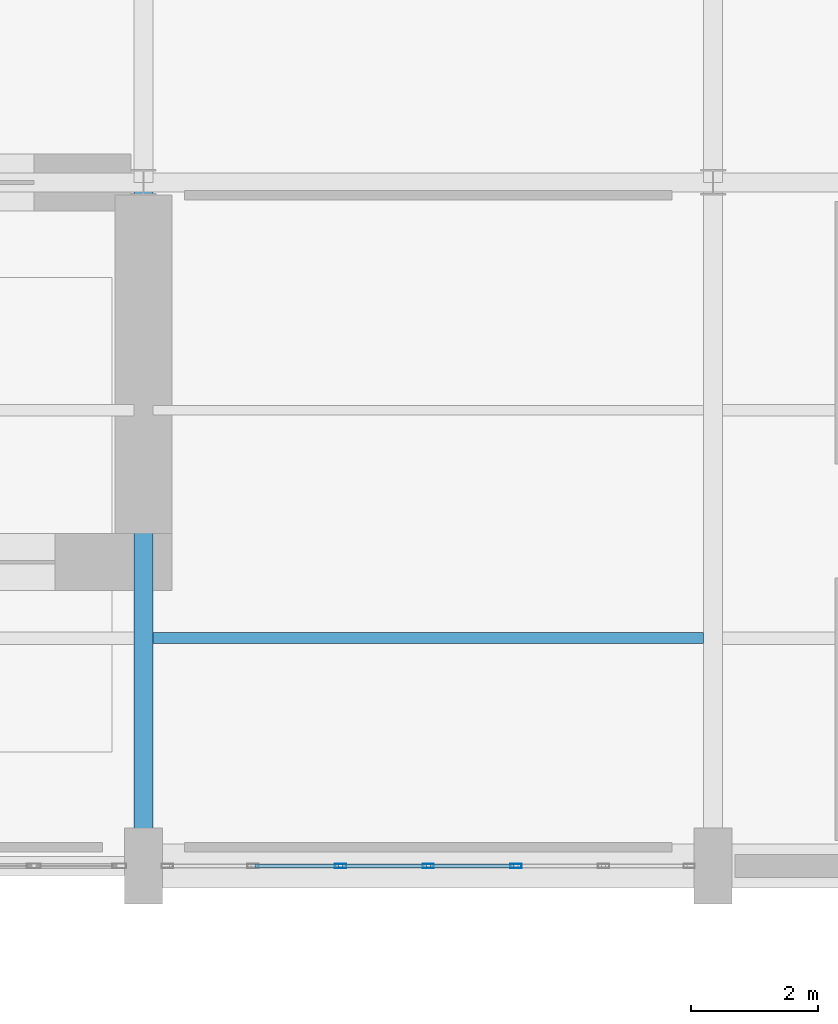
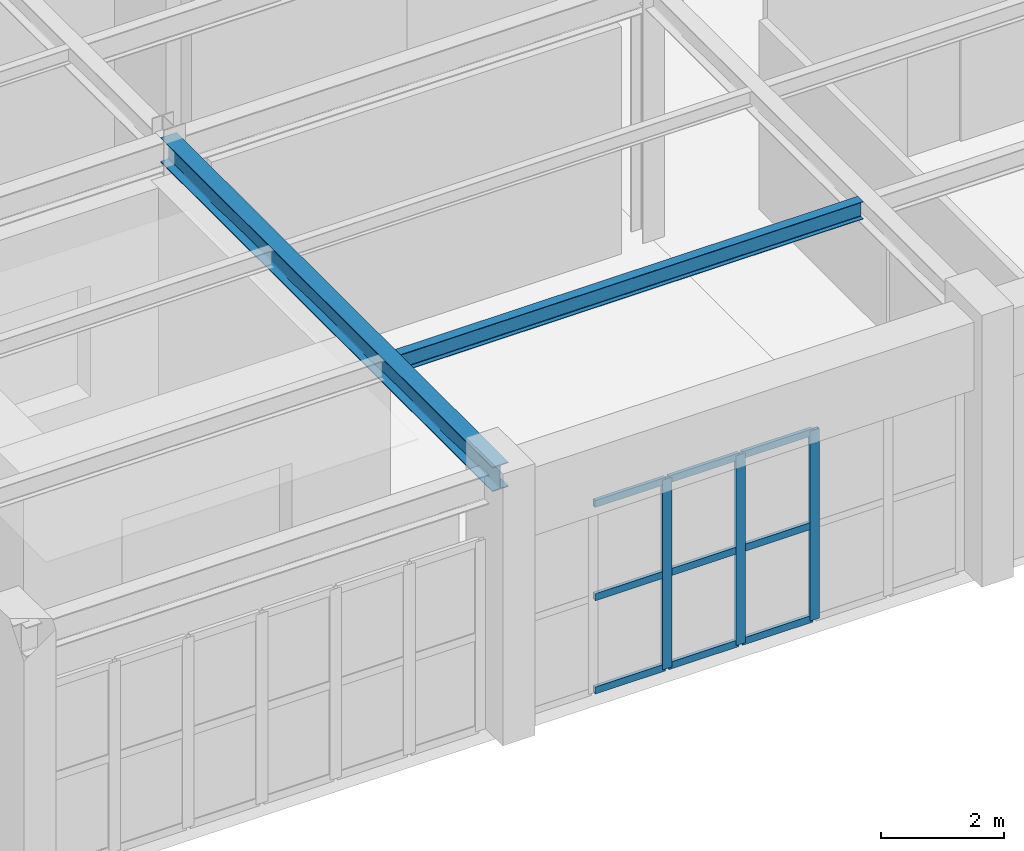
# One storey, part 24 of 140: 12 members, 2 beams, 1 element without a shape of its own.
"""IFC4 building model written with IfcOpenShell, lengths in metres."""

from ifc_helpers import new_model, si_unit, direction, frame, origin, origin_2d, place, context, subcontext, project, spatial, hollow_rectangle, i_section, extrude, material, material_profile, profile_set, type_object, element, aggregate, save


model = new_model("IFC4")

# Units and contexts
model_context = context("Model", 3, precision=1e-05, world=origin(), true_north=direction((0.0, 1.0)))
body_context = subcontext(model_context, "Body", "Model", "MODEL_VIEW")
ifc_project = project(units=[si_unit("LENGTHUNIT", "METRE"), si_unit("AREAUNIT", "SQUARE_METRE"), si_unit("VOLUMEUNIT", "CUBIC_METRE"), si_unit("PLANEANGLEUNIT", "RADIAN"), si_unit("MASSUNIT", "GRAM", prefix="KILO")], contexts=[model_context])

# Site, building, storey
site_placement = place(None, origin())
site = spatial("IfcSite", under=ifc_project, at=site_placement, CompositionType="ELEMENT")
building_placement = place(site_placement, origin())
building = spatial("IfcBuilding", under=site, at=building_placement, Name="Haizhuo Lancet Aquarium", CompositionType="ELEMENT")
storey_placement = place(building_placement, origin())
storey = spatial("IfcBuildingStorey", under=building, at=storey_placement, Name="L00", CompositionType="ELEMENT", Elevation=0.0)

# Beam
ifc_material_1 = material(Name="Steel S355", Category="steel")
ifc_material_profile_1 = material_profile(ifc_material_1, i_section(OverallWidth=0.300048828125, OverallDepth=0.488037109375, WebThickness=0.010986328125, FlangeThickness=0.01806640625, FilletRadius=0.02392578125, at=origin_2d()), Name="HM 488x300x11x18")
ifc_profile_set_1 = profile_set([ifc_material_profile_1], Name="Steel S355")
beam_type_1 = type_object("IfcBeamType", Name="BM-ST-HM488", PredefinedType="BEAM", material=ifc_profile_set_1)
beam_1_placement = place(storey_placement, frame((-9.0, -55.800048828125, 4.8759765625), z_axis=(0.0, 1.0, 0.0), x_axis=(-1.0, 0.0, 0.0)))
element("IfcBeam", 1, at=beam_1_placement, inside=storey, type_object=beam_type_1, Name="L00 V4 primary girder BM-L00-V4-008", PredefinedType="BEAM", context=body_context, shape_type="SweptSolid", body=[
    extrude(i_section(OverallWidth=0.300048828125, OverallDepth=0.488037109375, WebThickness=0.010986328125, FlangeThickness=0.01806640625, FilletRadius=0.02392578125, at=origin_2d()), origin(), (0.0, 0.0, 1.0), 10.800048828125),
])

# Curtain wall, members
ifc_material_2 = material(Name="Aluminium 6063-T6", Category="aluminium")
curtain_wall_type = type_object("IfcCurtainWallType", Name="CWO-8310x3770", PredefinedType="NOTDEFINED", material=ifc_material_2)
curtain_wall_placement = place(storey_placement, origin())
curtain_wall = element("IfcCurtainWall", 2, at=curtain_wall_placement, inside=storey, type_object=curtain_wall_type, Name="L00 curtain wall CW-V4-L00-088", PredefinedType="NOTDEFINED")
ifc_material_profile_2 = material_profile(ifc_material_2, hollow_rectangle(XDim=0.06494140625, YDim=0.179931640625, WallThickness=0.00390625, at=origin_2d()), Name="ALU-M 65x180x4")
ifc_profile_set_2 = profile_set([ifc_material_profile_2], Name="Aluminium 6063-T6")
member_type_1 = type_object("IfcMemberType", Name="CW-MUL-1", PredefinedType="MULLION", material=ifc_profile_set_2)
member_1_placement = place(storey_placement, frame((-3.114990234375, -55.800048828125, 0.0), z_axis=(0.0, 0.0, 1.0), x_axis=(0.0, -1.0, 0.0)))
member_1 = element("IfcMember", 3, at=member_1_placement, type_object=member_type_1, Name="CWO-83x37 mullion 3", PredefinedType="MULLION", context=body_context, shape_type="SweptSolid", body=[
    extrude(hollow_rectangle(XDim=0.06494140625, YDim=0.179931640625, WallThickness=0.00390625, at=origin_2d()), origin(), (0.0, 0.0, 1.0), 3.77001953125),
])
member_2_placement = place(storey_placement, frame((-4.5, -55.800048828125, 0.0), z_axis=(0.0, 0.0, 1.0), x_axis=(0.0, -1.0, 0.0)))
member_2 = element("IfcMember", 4, at=member_2_placement, type_object=member_type_1, Name="CWO-83x37 mullion 4", PredefinedType="MULLION", context=body_context, shape_type="SweptSolid", body=[
    extrude(hollow_rectangle(XDim=0.06494140625, YDim=0.179931640625, WallThickness=0.00390625, at=origin_2d()), origin(), (0.0, 0.0, 1.0), 3.77001953125),
])
member_3_placement = place(storey_placement, frame((-5.885009765625, -55.800048828125, 0.0), z_axis=(0.0, 0.0, 1.0), x_axis=(0.0, -1.0, 0.0)))
member_3 = element("IfcMember", 5, at=member_3_placement, type_object=member_type_1, Name="CWO-83x37 mullion 5", PredefinedType="MULLION", context=body_context, shape_type="SweptSolid", body=[
    extrude(hollow_rectangle(XDim=0.06494140625, YDim=0.179931640625, WallThickness=0.00390625, at=origin_2d()), origin(), (0.0, 0.0, 1.0), 3.77001953125),
])
ifc_material_profile_3 = material_profile(ifc_material_2, hollow_rectangle(XDim=0.06494140625, YDim=0.139892578125, WallThickness=0.00390625, at=origin_2d()), Name="ALU-T 65x140x4")
ifc_profile_set_3 = profile_set([ifc_material_profile_3], Name="Aluminium 6063-T6")
member_type_2 = type_object("IfcMemberType", Name="CW-TRN-1", PredefinedType="NOTDEFINED", material=ifc_profile_set_3)
member_4_placement = place(storey_placement, frame((-3.14697265625, -55.800048828125, 0.032958984375), z_axis=(-1.0, 0.0, 0.0), x_axis=(0.0, -1.0, 0.0)))
member_4 = element("IfcMember", 6, at=member_4_placement, type_object=member_type_2, Name="CWO-83x37 transom 3.1", ObjectType="TRANSOM", PredefinedType="USERDEFINED", context=body_context, shape_type="SweptSolid", body=[
    extrude(hollow_rectangle(XDim=0.06494140625, YDim=0.139892578125, WallThickness=0.00390625, at=origin_2d()), origin(), (0.0, 0.0, 1.0), 1.320068359375),
])
member_5_placement = place(storey_placement, frame((-3.14697265625, -55.800048828125, 1.885009765625), z_axis=(-1.0, 0.0, 0.0), x_axis=(0.0, -1.0, 0.0)))
member_5 = element("IfcMember", 7, at=member_5_placement, type_object=member_type_2, Name="CWO-83x37 transom 3.2", ObjectType="TRANSOM", PredefinedType="USERDEFINED", context=body_context, shape_type="SweptSolid", body=[
    extrude(hollow_rectangle(XDim=0.06494140625, YDim=0.139892578125, WallThickness=0.00390625, at=origin_2d()), origin(), (0.0, 0.0, 1.0), 1.320068359375),
])
member_6_placement = place(storey_placement, frame((-3.14697265625, -55.800048828125, 3.737060546875), z_axis=(-1.0, 0.0, 0.0), x_axis=(0.0, -1.0, 0.0)))
member_6 = element("IfcMember", 8, at=member_6_placement, type_object=member_type_2, Name="CWO-83x37 transom 3.3", ObjectType="TRANSOM", PredefinedType="USERDEFINED", context=body_context, shape_type="SweptSolid", body=[
    extrude(hollow_rectangle(XDim=0.06494140625, YDim=0.139892578125, WallThickness=0.00390625, at=origin_2d()), origin(), (0.0, 0.0, 1.0), 1.320068359375),
])
member_7_placement = place(storey_placement, frame((-4.531982421875, -55.800048828125, 0.032958984375), z_axis=(-1.0, 0.0, 0.0), x_axis=(0.0, -1.0, 0.0)))
member_7 = element("IfcMember", 9, at=member_7_placement, type_object=member_type_2, Name="CWO-83x37 transom 4.1", ObjectType="TRANSOM", PredefinedType="USERDEFINED", context=body_context, shape_type="SweptSolid", body=[
    extrude(hollow_rectangle(XDim=0.06494140625, YDim=0.139892578125, WallThickness=0.00390625, at=origin_2d()), origin(), (0.0, 0.0, 1.0), 1.320068359375),
])
member_8_placement = place(storey_placement, frame((-4.531982421875, -55.800048828125, 1.885009765625), z_axis=(-1.0, 0.0, 0.0), x_axis=(0.0, -1.0, 0.0)))
member_8 = element("IfcMember", 10, at=member_8_placement, type_object=member_type_2, Name="CWO-83x37 transom 4.2", ObjectType="TRANSOM", PredefinedType="USERDEFINED", context=body_context, shape_type="SweptSolid", body=[
    extrude(hollow_rectangle(XDim=0.06494140625, YDim=0.139892578125, WallThickness=0.00390625, at=origin_2d()), origin(), (0.0, 0.0, 1.0), 1.320068359375),
])
member_9_placement = place(storey_placement, frame((-4.531982421875, -55.800048828125, 3.737060546875), z_axis=(-1.0, 0.0, 0.0), x_axis=(0.0, -1.0, 0.0)))
member_9 = element("IfcMember", 11, at=member_9_placement, type_object=member_type_2, Name="CWO-83x37 transom 4.3", ObjectType="TRANSOM", PredefinedType="USERDEFINED", context=body_context, shape_type="SweptSolid", body=[
    extrude(hollow_rectangle(XDim=0.06494140625, YDim=0.139892578125, WallThickness=0.00390625, at=origin_2d()), origin(), (0.0, 0.0, 1.0), 1.320068359375),
])
member_10_placement = place(storey_placement, frame((-5.9169921875, -55.800048828125, 0.032958984375), z_axis=(-1.0, 0.0, 0.0), x_axis=(0.0, -1.0, 0.0)))
member_10 = element("IfcMember", 12, at=member_10_placement, type_object=member_type_2, Name="CWO-83x37 transom 5.1", ObjectType="TRANSOM", PredefinedType="USERDEFINED", context=body_context, shape_type="SweptSolid", body=[
    extrude(hollow_rectangle(XDim=0.06494140625, YDim=0.139892578125, WallThickness=0.00390625, at=origin_2d()), origin(), (0.0, 0.0, 1.0), 1.320068359375),
])
member_11_placement = place(storey_placement, frame((-5.9169921875, -55.800048828125, 1.885009765625), z_axis=(-1.0, 0.0, 0.0), x_axis=(0.0, -1.0, 0.0)))
member_11 = element("IfcMember", 13, at=member_11_placement, type_object=member_type_2, Name="CWO-83x37 transom 5.2", ObjectType="TRANSOM", PredefinedType="USERDEFINED", context=body_context, shape_type="SweptSolid", body=[
    extrude(hollow_rectangle(XDim=0.06494140625, YDim=0.139892578125, WallThickness=0.00390625, at=origin_2d()), origin(), (0.0, 0.0, 1.0), 1.320068359375),
])
member_12_placement = place(storey_placement, frame((-5.9169921875, -55.800048828125, 3.737060546875), z_axis=(-1.0, 0.0, 0.0), x_axis=(0.0, -1.0, 0.0)))
member_12 = element("IfcMember", 14, at=member_12_placement, type_object=member_type_2, Name="CWO-83x37 transom 5.3", ObjectType="TRANSOM", PredefinedType="USERDEFINED", context=body_context, shape_type="SweptSolid", body=[
    extrude(hollow_rectangle(XDim=0.06494140625, YDim=0.139892578125, WallThickness=0.00390625, at=origin_2d()), origin(), (0.0, 0.0, 1.0), 1.320068359375),
])
aggregate(curtain_wall, [member_1, member_2, member_3, member_4, member_5, member_6, member_7, member_8, member_9, member_10, member_11, member_12])

# Beam
ifc_material_profile_4 = material_profile(ifc_material_1, i_section(OverallWidth=0.175048828125, OverallDepth=0.35009765625, WebThickness=0.007080078125, FlangeThickness=0.010986328125, FilletRadius=0.013916015625, at=origin_2d()), Name="HN 350x175x7x11")
ifc_profile_set_4 = profile_set([ifc_material_profile_4], Name="Steel S355")
beam_type_2 = type_object("IfcBeamType", Name="JST-ST-HN350", PredefinedType="JOIST", material=ifc_profile_set_4)
beam_2_placement = place(storey_placement, frame((-8.85009765625, -52.199951171875, 4.945068359375), z_axis=(1.0, 0.0, 0.0), x_axis=(0.0, 1.0, 0.0)))
element("IfcBeam", 15, at=beam_2_placement, inside=storey, type_object=beam_type_2, Name="L00 V4 secondary floor joist 7", PredefinedType="JOIST", context=body_context, shape_type="SweptSolid", body=[
    extrude(i_section(OverallWidth=0.175048828125, OverallDepth=0.35009765625, WebThickness=0.007080078125, FlangeThickness=0.010986328125, FilletRadius=0.013916015625, at=origin_2d()), origin(), (0.0, 0.0, 1.0), 8.7001953125),
])

save(model, "model.ifc")
